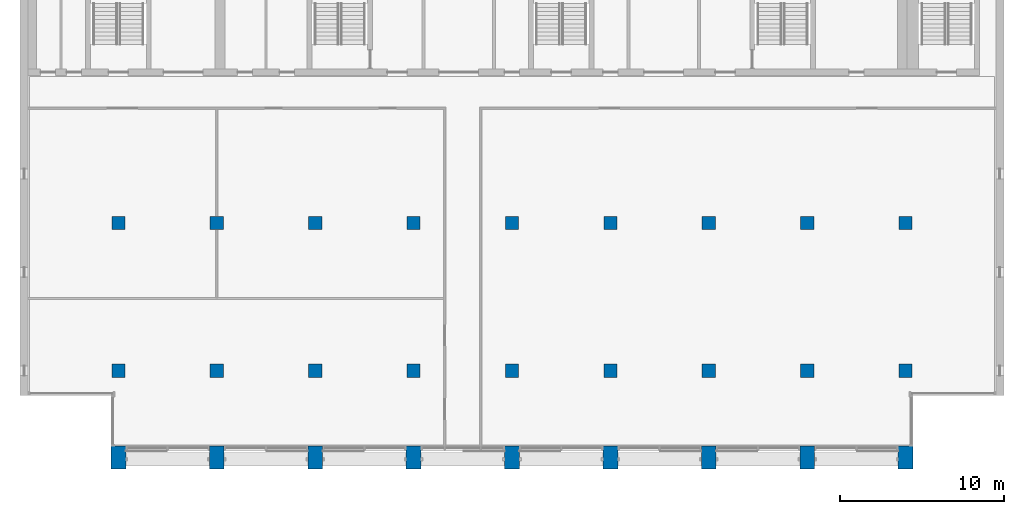
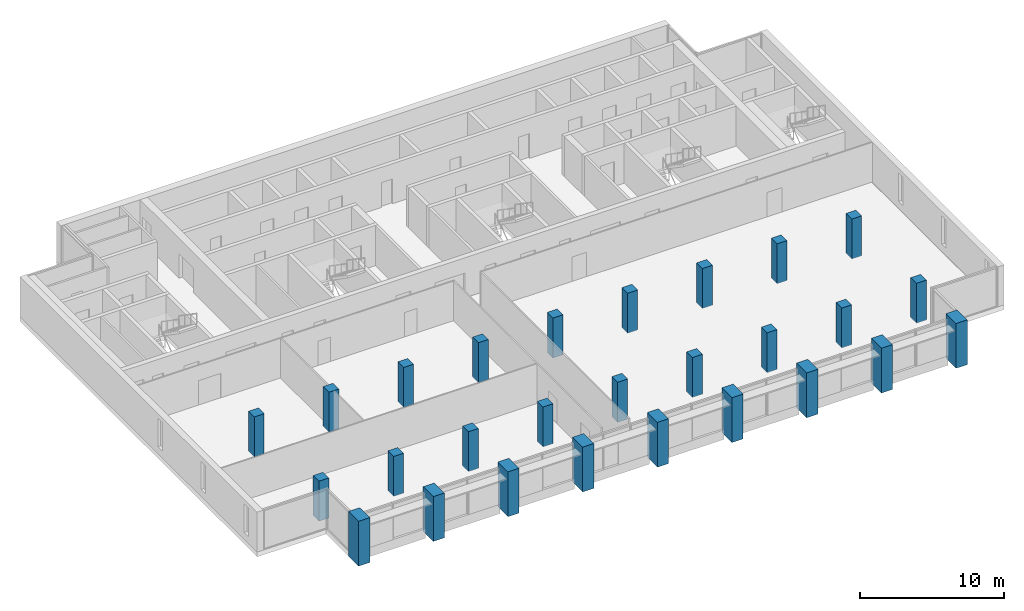
# One storey, part 1 of 14: 27 columns.
"""IFC4 building model written with IfcOpenShell, lengths in metres."""

from ifc_helpers import new_model, si_unit, direction, frame, origin, origin_2d, place, context, subcontext, project, spatial, rectangle, extrude, material, material_profile, profile_set, type_object, element, save


model = new_model("IFC4")

# Units and contexts
model_context = context("Model", 3, precision=1e-05, world=origin(), true_north=direction((0.0, 1.0)))
body_context = subcontext(model_context, "Body", "Model", "MODEL_VIEW")
ifc_project = project(units=[si_unit("LENGTHUNIT", "METRE"), si_unit("AREAUNIT", "SQUARE_METRE"), si_unit("VOLUMEUNIT", "CUBIC_METRE"), si_unit("PLANEANGLEUNIT", "RADIAN"), si_unit("MASSUNIT", "GRAM", prefix="KILO")], contexts=[model_context])

# Site, building, storey
site_placement = place(None, origin())
site = spatial("IfcSite", under=ifc_project, at=site_placement, CompositionType="ELEMENT")
building_placement = place(site_placement, origin())
building = spatial("IfcBuilding", under=site, at=building_placement, Name="Calvaro Tower", CompositionType="ELEMENT")
storey_placement = place(building_placement, frame((0.0, 0.0, 254.550048828125)))
storey = spatial("IfcBuildingStorey", under=building, at=storey_placement, Name="L64", CompositionType="ELEMENT", Elevation=254.550048828125)

# Columns
ifc_material_1 = material(Name="Concrete C40/50", Category="concrete")
ifc_material_profile_1 = material_profile(ifc_material_1, rectangle(XDim=0.800048828125, YDim=0.800048828125, at=origin_2d()), Name="RC 800x800")
ifc_profile_set_1 = profile_set([ifc_material_profile_1], Name="Concrete C40/50")
column_type_1 = type_object("IfcColumnType", Name="Column 800x800 C40/50", PredefinedType="COLUMN", material=ifc_profile_set_1)
for number, where, z_axis, x_axis, name in (
    (1, (12.0, 10.0, 0.0), (0.0, 0.0, 1.0), (1.0, 0.0, 0.0), "Column 3B"),
    (2, (12.0, 19.0, 0.0), (0.0, 0.0, 1.0), (1.0, 0.0, 0.0), "Column 3C"),
    (3, (18.0, 10.0, 0.0), (0.0, 0.0, 1.0), (1.0, 0.0, 0.0), "Column 4B"),
    (4, (18.0, 19.0, 0.0), (0.0, 0.0, 1.0), (1.0, 0.0, 0.0), "Column 4C"),
    (5, (24.0, 10.0, 0.0), (0.0, 0.0, 1.0), (1.0, 0.0, 0.0), "Column 5B"),
    (6, (24.0, 19.0, 0.0), (0.0, 0.0, 1.0), (1.0, 0.0, 0.0), "Column 5C"),
    (7, (30.0, 10.0, 0.0), (0.0, 0.0, 1.0), (1.0, 0.0, 0.0), "Column 6B"),
    (8, (30.0, 19.0, 0.0), (0.0, 0.0, 1.0), (1.0, 0.0, 0.0), "Column 6C"),
    (9, (36.0, 10.0, 0.0), (0.0, 0.0, 1.0), (1.0, 0.0, 0.0), "Column 7B"),
    (10, (36.0, 19.0, 0.0), (0.0, 0.0, 1.0), (1.0, 0.0, 0.0), "Column 7C"),
    (11, (42.0, 10.0, 0.0), (0.0, 0.0, 1.0), (1.0, 0.0, 0.0), "Column 8B"),
    (12, (42.0, 19.0, 0.0), (0.0, 0.0, 1.0), (1.0, 0.0, 0.0), "Column 8C"),
    (13, (48.0, 10.0, 0.0), (0.0, 0.0, 1.0), (1.0, 0.0, 0.0), "Column 9B"),
    (14, (48.0, 19.0, 0.0), (0.0, 0.0, 1.0), (1.0, 0.0, 0.0), "Column 9C"),
    (15, (54.0, 10.0, 0.0), (0.0, 0.0, 1.0), (1.0, 0.0, 0.0), "Column 10B"),
    (16, (54.0, 19.0, 0.0), (0.0, 0.0, 1.0), (1.0, 0.0, 0.0), "Column 10C"),
    (17, (60.0, 10.0, 0.0), (0.0, 0.0, 1.0), (1.0, 0.0, 0.0), "Column 11B"),
    (18, (60.0, 19.0, 0.0), (0.0, 0.0, 1.0), (1.0, 0.0, 0.0), "Column 11C"),
):
    element("IfcColumn", number, at=place(storey_placement, frame(where, z_axis=z_axis, x_axis=x_axis)), inside=storey, type_object=column_type_1, Name=name, PredefinedType="COLUMN", context=body_context, shape_type="SweptSolid", body=[
        extrude(rectangle(XDim=0.800048828125, YDim=0.800048828125, at=origin_2d()), origin(), (0.0, 0.0, 1.0), 3.39990234375),
    ])
ifc_material_2 = material(Name="Concrete C40/50", Category="concrete")
ifc_material_profile_2 = material_profile(ifc_material_2, rectangle(XDim=0.89990234375, YDim=1.39990234375, at=origin_2d()), Name="RC 900x1400")
ifc_profile_set_2 = profile_set([ifc_material_profile_2], Name="Concrete C40/50")
column_type_2 = type_object("IfcColumnType", Name="Pier 900x1400 C40/50", PredefinedType="COLUMN", material=ifc_profile_set_2)
for number, where, z_axis, x_axis, name in (
    (19, (12.0, 4.699951171875, -0.400146484375), (0.0, 0.0, 1.0), (1.0, 0.0, 0.0), "South pier 3"),
    (20, (18.0, 4.699951171875, -0.400146484375), (0.0, 0.0, 1.0), (1.0, 0.0, 0.0), "South pier 4"),
    (21, (24.0, 4.699951171875, -0.400146484375), (0.0, 0.0, 1.0), (1.0, 0.0, 0.0), "South pier 5"),
    (22, (30.0, 4.699951171875, -0.400146484375), (0.0, 0.0, 1.0), (1.0, 0.0, 0.0), "South pier 6"),
    (23, (36.0, 4.699951171875, -0.400146484375), (0.0, 0.0, 1.0), (1.0, 0.0, 0.0), "South pier 7"),
    (24, (42.0, 4.699951171875, -0.400146484375), (0.0, 0.0, 1.0), (1.0, 0.0, 0.0), "South pier 8"),
    (25, (48.0, 4.699951171875, -0.400146484375), (0.0, 0.0, 1.0), (1.0, 0.0, 0.0), "South pier 9"),
    (26, (54.0, 4.699951171875, -0.400146484375), (0.0, 0.0, 1.0), (1.0, 0.0, 0.0), "South pier 10"),
    (27, (60.0, 4.699951171875, -0.400146484375), (0.0, 0.0, 1.0), (1.0, 0.0, 0.0), "South pier 11"),
):
    element("IfcColumn", number, at=place(storey_placement, frame(where, z_axis=z_axis, x_axis=x_axis)), inside=storey, type_object=column_type_2, Name=name, PredefinedType="COLUMN", context=body_context, shape_type="SweptSolid", body=[
        extrude(rectangle(XDim=0.89990234375, YDim=1.39990234375, at=origin_2d()), origin(), (0.0, 0.0, 1.0), 3.800048828125),
    ])

save(model, "model.ifc")
